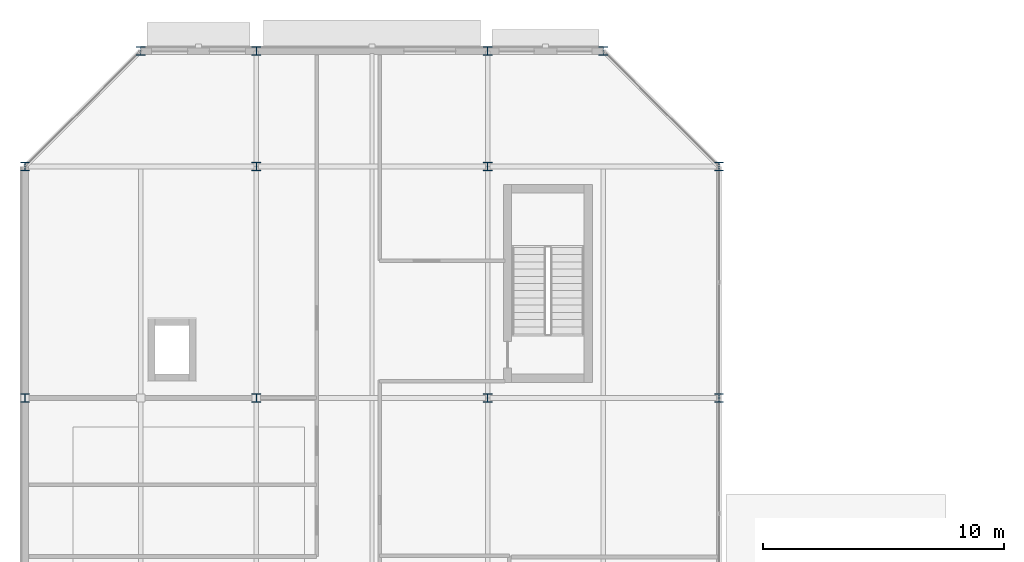
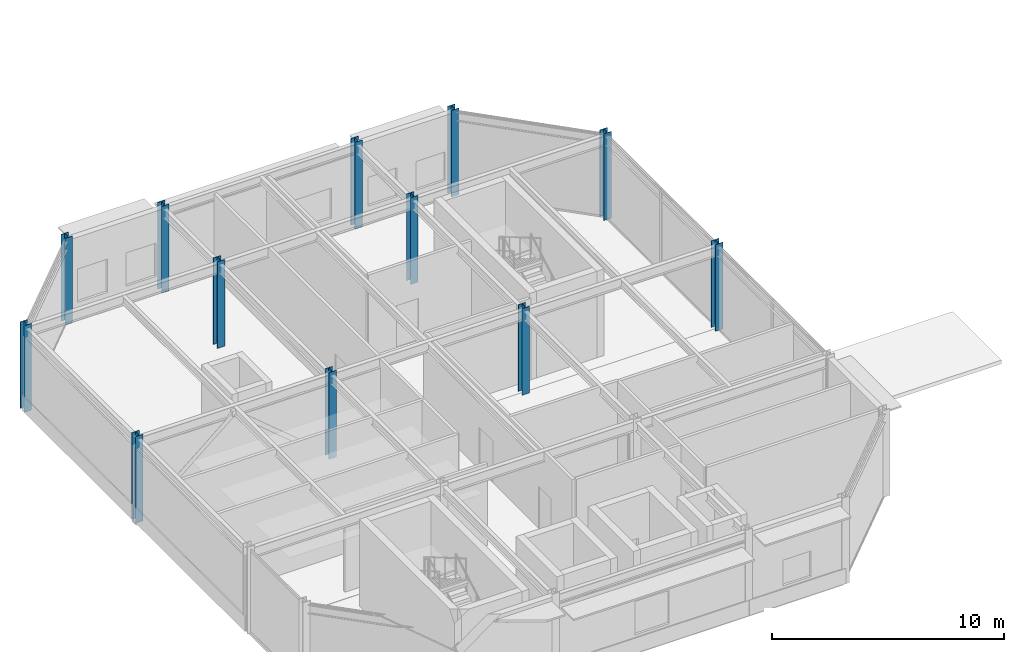
# One storey, part 11 of 133: 12 columns.
"""IFC4 building model written with IfcOpenShell, lengths in metres."""

from ifc_helpers import new_model, si_unit, direction, frame, origin, origin_2d, place, context, subcontext, project, spatial, i_section, extrude, material, material_profile, profile_set, type_object, element, save


model = new_model("IFC4")

# Units and contexts
model_context = context("Model", 3, precision=1e-05, world=origin(), true_north=direction((0.0, 1.0)))
body_context = subcontext(model_context, "Body", "Model", "MODEL_VIEW")
ifc_project = project(units=[si_unit("LENGTHUNIT", "METRE"), si_unit("AREAUNIT", "SQUARE_METRE"), si_unit("VOLUMEUNIT", "CUBIC_METRE"), si_unit("PLANEANGLEUNIT", "RADIAN"), si_unit("MASSUNIT", "GRAM", prefix="KILO")], contexts=[model_context])

# Site, building, storey
site_placement = place(None, origin())
site = spatial("IfcSite", under=ifc_project, at=site_placement, CompositionType="ELEMENT")
building_placement = place(site_placement, origin())
building = spatial("IfcBuilding", under=site, at=building_placement, Name="Almandine Court Research Institute", CompositionType="ELEMENT")
storey_placement = place(building_placement, frame((0.0, 0.0, 9.800048828125)))
storey = spatial("IfcBuildingStorey", under=building, at=storey_placement, Name="L02", CompositionType="ELEMENT", Elevation=9.800048828125)

# Columns
ifc_material = material(Name="Steel ASTM A992 Grade 50", Category="steel")
ifc_material_profile_1 = material_profile(ifc_material, i_section(OverallWidth=0.3701171875, OverallDepth=0.360107421875, WebThickness=0.013916015625, FlangeThickness=0.02197265625, at=origin_2d()), Name="W360x147")
ifc_profile_set_1 = profile_set([ifc_material_profile_1], Name="Steel ASTM A992 Grade 50")
column_type_1 = type_object("IfcColumnType", Name="Col-C-W04", PredefinedType="COLUMN", material=ifc_profile_set_1)
for number, where, z_axis, x_axis, name in (
    (1, (15.60009765625, 103.199951171875, 0.0), (0.0, 0.0, 1.0), (1.0, 0.0, 0.0), "L02 V3 Column V3-X2Y3"),
    (2, (15.60009765625, 112.800048828125, 0.0), (0.0, 0.0, 1.0), (1.0, 0.0, 0.0), "L02 V3 Column V3-X2Y4"),
    (3, (25.199951171875, 103.199951171875, 0.0), (0.0, 0.0, 1.0), (1.0, 0.0, 0.0), "L02 V3 Column V3-X3Y3"),
    (4, (25.199951171875, 112.800048828125, 0.0), (0.0, 0.0, 1.0), (1.0, 0.0, 0.0), "L02 V3 Column V3-X3Y4"),
):
    element("IfcColumn", number, at=place(storey_placement, frame(where, z_axis=z_axis, x_axis=x_axis)), inside=storey, type_object=column_type_1, Name=name, PredefinedType="COLUMN", context=body_context, shape_type="SweptSolid", body=[
        extrude(i_section(OverallWidth=0.3701171875, OverallDepth=0.360107421875, WebThickness=0.013916015625, FlangeThickness=0.02197265625, at=origin_2d()), origin(), (0.0, 0.0, 1.0), 4.550048828125),
    ])
ifc_material_profile_2 = material_profile(ifc_material, i_section(OverallWidth=0.3701171875, OverallDepth=0.360107421875, WebThickness=0.013916015625, FlangeThickness=0.02197265625, at=origin_2d()), Name="W360x147")
ifc_profile_set_2 = profile_set([ifc_material_profile_2], Name="Steel ASTM A992 Grade 50")
column_type_2 = type_object("IfcColumnType", Name="Col-C-W04-E", PredefinedType="COLUMN", material=ifc_profile_set_2)
for number, where, z_axis, x_axis, name in (
    (5, (6.0, 103.199951171875, 0.0), (0.0, 0.0, 1.0), (1.0, 0.0, 0.0), "L02 V3 Column V3-X1Y3"),
    (6, (6.0, 112.800048828125, 0.0), (0.0, 0.0, 1.0), (1.0, 0.0, 0.0), "L02 V3 Column V3-X1Y4"),
    (7, (15.60009765625, 117.60009765625, 0.0), (0.0, 0.0, 1.0), (1.0, 0.0, 0.0), "L02 V3 Column V3-X2Y5"),
    (8, (25.199951171875, 117.60009765625, 0.0), (0.0, 0.0, 1.0), (1.0, 0.0, 0.0), "L02 V3 Column V3-X3Y5"),
    (9, (34.800048828125, 103.199951171875, 0.0), (0.0, 0.0, 1.0), (1.0, 0.0, 0.0), "L02 V3 Column V3-X4Y3"),
    (10, (34.800048828125, 112.800048828125, 0.0), (0.0, 0.0, 1.0), (1.0, 0.0, 0.0), "L02 V3 Column V3-X4Y4"),
    (11, (30.0, 117.60009765625, 0.0), (0.0, 0.0, 1.0), (1.0, 0.0, 0.0), "L02 V3 Column V3-CH5"),
    (12, (10.800048828125, 117.60009765625, 0.0), (0.0, 0.0, 1.0), (1.0, 0.0, 0.0), "L02 V3 Column V3-CH6"),
):
    element("IfcColumn", number, at=place(storey_placement, frame(where, z_axis=z_axis, x_axis=x_axis)), inside=storey, type_object=column_type_2, Name=name, PredefinedType="COLUMN", context=body_context, shape_type="SweptSolid", body=[
        extrude(i_section(OverallWidth=0.3701171875, OverallDepth=0.360107421875, WebThickness=0.013916015625, FlangeThickness=0.02197265625, at=origin_2d()), origin(), (0.0, 0.0, 1.0), 4.550048828125),
    ])

save(model, "model.ifc")
